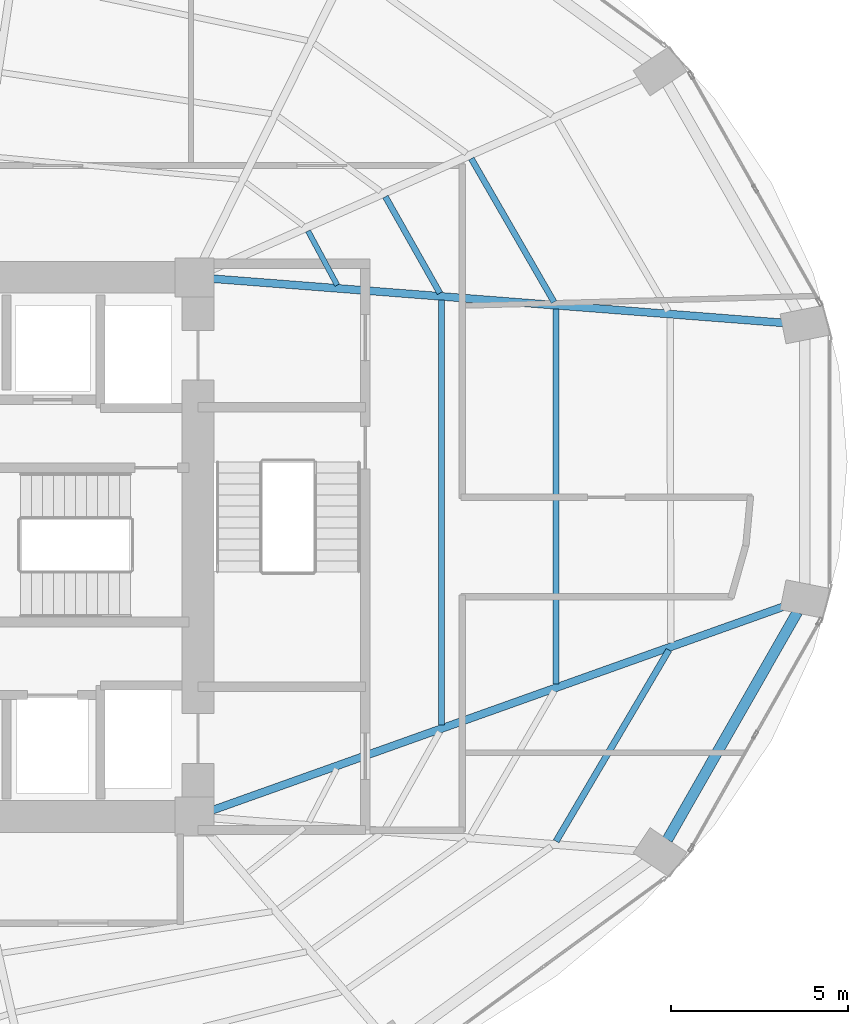
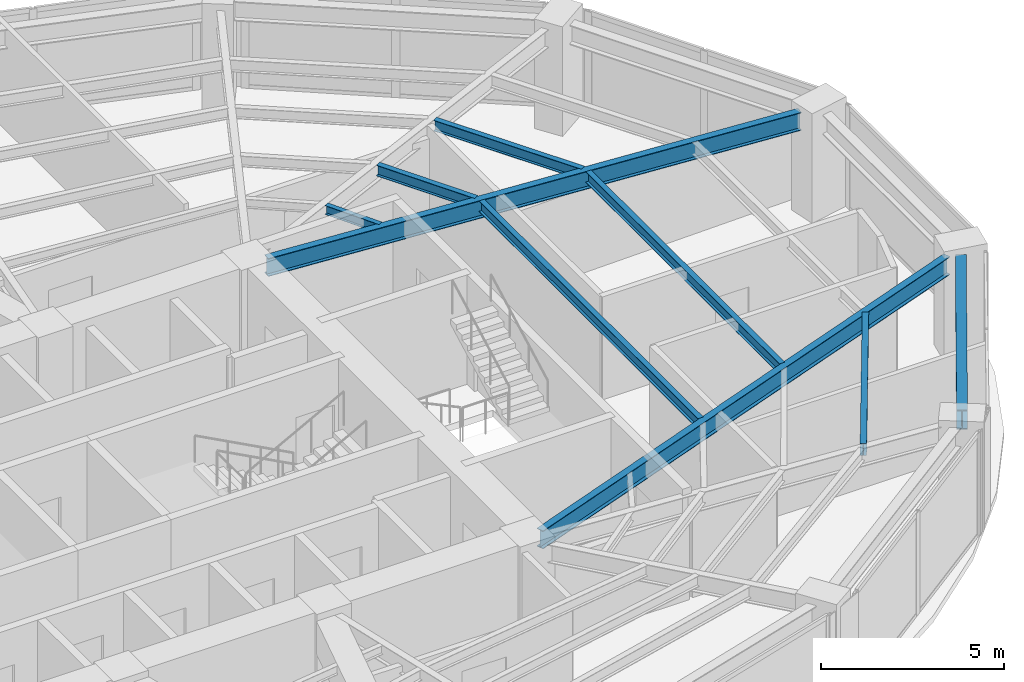
# One storey, part 11 of 24: 9 beams.
"""IFC4 building model written with IfcOpenShell, lengths in metres."""

from ifc_helpers import new_model, si_unit, direction, frame, origin, origin_2d, place, context, subcontext, project, spatial, i_section, extrude, material, material_profile, profile_set, type_object, element, save


model = new_model("IFC4")

# Units and contexts
model_context = context("Model", 3, precision=1e-05, world=origin(), true_north=direction((0.0, 1.0)))
body_context = subcontext(model_context, "Body", "Model", "MODEL_VIEW")
ifc_project = project(units=[si_unit("LENGTHUNIT", "METRE"), si_unit("AREAUNIT", "SQUARE_METRE"), si_unit("VOLUMEUNIT", "CUBIC_METRE"), si_unit("PLANEANGLEUNIT", "RADIAN"), si_unit("MASSUNIT", "GRAM", prefix="KILO")], contexts=[model_context])

# Site, building, storey
site_placement = place(None, origin())
site = spatial("IfcSite", under=ifc_project, at=site_placement, CompositionType="ELEMENT")
building_placement = place(site_placement, origin())
building = spatial("IfcBuilding", under=site, at=building_placement, Name="Lazwardi Medical Tower", CompositionType="ELEMENT")
storey_placement = place(building_placement, frame((0.0, 0.0, 68.97607421875)))
storey = spatial("IfcBuildingStorey", under=building, at=storey_placement, Name="L17", CompositionType="ELEMENT", Elevation=68.97607421875)

# Beams
ifc_material = material(Name="Steel S355", Category="steel")
ifc_material_profile_1 = material_profile(ifc_material, i_section(OverallWidth=0.300048828125, OverallDepth=0.64990234375, WebThickness=0.01611328125, FlangeThickness=0.031005859375, at=origin_2d()), Name="HEB 650")
ifc_profile_set_1 = profile_set([ifc_material_profile_1], Name="Steel S355")
beam_type_1 = type_object("IfcBeamType", Name="BM-RB-Z1", PredefinedType="BEAM", material=ifc_profile_set_1)
beam_1_placement = place(storey_placement, frame((58.927978515625, 19.75048828125, 3.10302734375), z_axis=(0.495829348644, 0.868419977328, 0.0), x_axis=(-0.868419977328, 0.495829348644, 0.0)))
element("IfcBeam", 1, at=beam_1_placement, inside=storey, type_object=beam_type_1, Name="Ring beam RB-02 B03 L17", PredefinedType="BEAM", context=body_context, shape_type="SweptSolid", body=[
    extrude(i_section(OverallWidth=0.300048828125, OverallDepth=0.64990234375, WebThickness=0.01611328125, FlangeThickness=0.031005859375, at=origin_2d()), origin(), (0.0, 0.0, 1.0), 7.38916015625),
])
ifc_material_profile_2 = material_profile(ifc_material, i_section(OverallWidth=0.219970703125, OverallDepth=0.60009765625, WebThickness=0.011962890625, FlangeThickness=0.01904296875, at=origin_2d()), Name="IPE 600")
ifc_profile_set_2 = profile_set([ifc_material_profile_2], Name="Steel S355")
beam_type_2 = type_object("IfcBeamType", Name="BM-RG-W1", PredefinedType="BEAM", material=ifc_profile_set_2)
beam_2_placement = place(storey_placement, frame((62.253662109375, 26.33740234375, 3.1279296875), z_axis=(-0.941925080425, -0.335823082688, 0.0), x_axis=(0.335823082688, -0.941925080425, 0.0)))
element("IfcBeam", 2, at=beam_2_placement, inside=storey, type_object=beam_type_2, Name="Radial girder RG-02 R04 L17", PredefinedType="BEAM", context=body_context, shape_type="SweptSolid", body=[
    extrude(i_section(OverallWidth=0.219970703125, OverallDepth=0.60009765625, WebThickness=0.011962890625, FlangeThickness=0.01904296875, at=origin_2d()), origin(), (0.0, 0.0, 1.0), 17.145263671875),
])
beam_3_placement = place(storey_placement, frame((62.2216796875, 34.3125, 3.1279296875), z_axis=(-0.997013942066, 0.077221754231, 0.0), x_axis=(-0.077221754231, -0.997013942066, 0.0)))
element("IfcBeam", 3, at=beam_3_placement, inside=storey, type_object=beam_type_2, Name="Radial girder RG-02 R05 L17", PredefinedType="BEAM", context=body_context, shape_type="SweptSolid", body=[
    extrude(i_section(OverallWidth=0.219970703125, OverallDepth=0.60009765625, WebThickness=0.011962890625, FlangeThickness=0.01904296875, at=origin_2d()), origin(), (0.0, 0.0, 1.0), 16.136474609375),
])
ifc_material_profile_3 = material_profile(ifc_material, i_section(OverallWidth=0.179931640625, OverallDepth=0.39990234375, WebThickness=0.008544921875, FlangeThickness=0.013427734375, at=origin_2d()), Name="IPE 400")
ifc_profile_set_3 = profile_set([ifc_material_profile_3], Name="Steel S355")
beam_type_3 = type_object("IfcBeamType", Name="BM-SJ-01", PredefinedType="JOIST", material=ifc_profile_set_3)
beam_4_placement = place(storey_placement, frame((55.793212890625, 19.70654296875, 3.22802734375), z_axis=(0.507886270937, 0.861424132349, 0.0), x_axis=(-0.861424132349, 0.507886270937, 0.0)))
element("IfcBeam", 4, at=beam_4_placement, inside=storey, type_object=beam_type_3, Name="Secondary joist SJ-01 R1 B03 L17", PredefinedType="JOIST", context=body_context, shape_type="SweptSolid", body=[
    extrude(i_section(OverallWidth=0.179931640625, OverallDepth=0.39990234375, WebThickness=0.008544921875, FlangeThickness=0.013427734375, at=origin_2d()), origin(), (0.0, 0.0, 1.0), 6.255859375),
])
ifc_material_profile_4 = material_profile(ifc_material, i_section(OverallWidth=0.169921875, OverallDepth=0.360107421875, WebThickness=0.008056640625, FlangeThickness=0.0126953125, at=origin_2d()), Name="IPE 360")
ifc_profile_set_4 = profile_set([ifc_material_profile_4], Name="Steel S355")
beam_type_4 = type_object("IfcBeamType", Name="BM-SJ-02", PredefinedType="JOIST", material=ifc_profile_set_4)
beam_5_placement = place(storey_placement, frame((55.793701171875, 24.139404296875, 3.248046875), z_axis=(-0.000670039821, 0.999999775523, 0.0), x_axis=(-0.999999775523, -0.000670039821, 0.0)))
element("IfcBeam", 5, at=beam_5_placement, inside=storey, type_object=beam_type_4, Name="Secondary joist SJ-02 R2 B04 L17", PredefinedType="JOIST", context=body_context, shape_type="SweptSolid", body=[
    extrude(i_section(OverallWidth=0.169921875, OverallDepth=0.360107421875, WebThickness=0.008056640625, FlangeThickness=0.0126953125, at=origin_2d()), origin(), (0.0, 0.0, 1.0), 10.566650390625),
])
beam_6_placement = place(storey_placement, frame((55.73388671875, 34.90185546875, 3.248046875), z_axis=(-0.499785866494, 0.866148998529, 0.0), x_axis=(-0.866148998529, -0.499785866494, 0.0)))
element("IfcBeam", 6, at=beam_6_placement, inside=storey, type_object=beam_type_4, Name="Secondary joist SJ-02 R2 B05 L17", PredefinedType="JOIST", context=body_context, shape_type="SweptSolid", body=[
    extrude(i_section(OverallWidth=0.169921875, OverallDepth=0.360107421875, WebThickness=0.008056640625, FlangeThickness=0.0126953125, at=origin_2d()), origin(), (0.0, 0.0, 1.0), 4.666015625),
])
beam_7_placement = place(storey_placement, frame((52.56396484375, 22.98779296875, 3.248046875), z_axis=(0.000387612685, 0.999999924878, 0.0), x_axis=(-0.999999924878, 0.000387612685, 0.0)))
element("IfcBeam", 7, at=beam_7_placement, inside=storey, type_object=beam_type_4, Name="Secondary joist SJ-02 R3 B04 L17", PredefinedType="JOIST", context=body_context, shape_type="SweptSolid", body=[
    extrude(i_section(OverallWidth=0.169921875, OverallDepth=0.360107421875, WebThickness=0.008056640625, FlangeThickness=0.0126953125, at=origin_2d()), origin(), (0.0, 0.0, 1.0), 11.96728515625),
])
beam_8_placement = place(storey_placement, frame((52.51708984375, 35.151611328125, 3.248046875), z_axis=(-0.491923287977, 0.870638546554, 0.0), x_axis=(-0.870638546554, -0.491923287977, 0.0)))
element("IfcBeam", 8, at=beam_8_placement, inside=storey, type_object=beam_type_4, Name="Secondary joist SJ-02 R3 B05 L17", PredefinedType="JOIST", context=body_context, shape_type="SweptSolid", body=[
    extrude(i_section(OverallWidth=0.169921875, OverallDepth=0.360107421875, WebThickness=0.008056640625, FlangeThickness=0.0126953125, at=origin_2d()), origin(), (0.0, 0.0, 1.0), 3.122802734375),
])
ifc_material_profile_5 = material_profile(ifc_material, i_section(OverallWidth=0.14990234375, OverallDepth=0.300048828125, WebThickness=0.007080078125, FlangeThickness=0.0107421875, at=origin_2d()), Name="IPE 300")
ifc_profile_set_5 = profile_set([ifc_material_profile_5], Name="Steel S355")
beam_type_5 = type_object("IfcBeamType", Name="BM-SJ-03", PredefinedType="JOIST", material=ifc_profile_set_5)
beam_9_placement = place(storey_placement, frame((49.623046875, 35.376953125, 3.27783203125), z_axis=(-0.473982292828, 0.880534375301, 0.0), x_axis=(-0.880534375301, -0.473982292828, 0.0)))
element("IfcBeam", 9, at=beam_9_placement, inside=storey, type_object=beam_type_5, Name="Secondary joist SJ-03 R4 B05 L17", PredefinedType="JOIST", context=body_context, shape_type="SweptSolid", body=[
    extrude(i_section(OverallWidth=0.14990234375, OverallDepth=0.300048828125, WebThickness=0.007080078125, FlangeThickness=0.0107421875, at=origin_2d()), origin(), (0.0, 0.0, 1.0), 1.734375),
])

save(model, "model.ifc")
